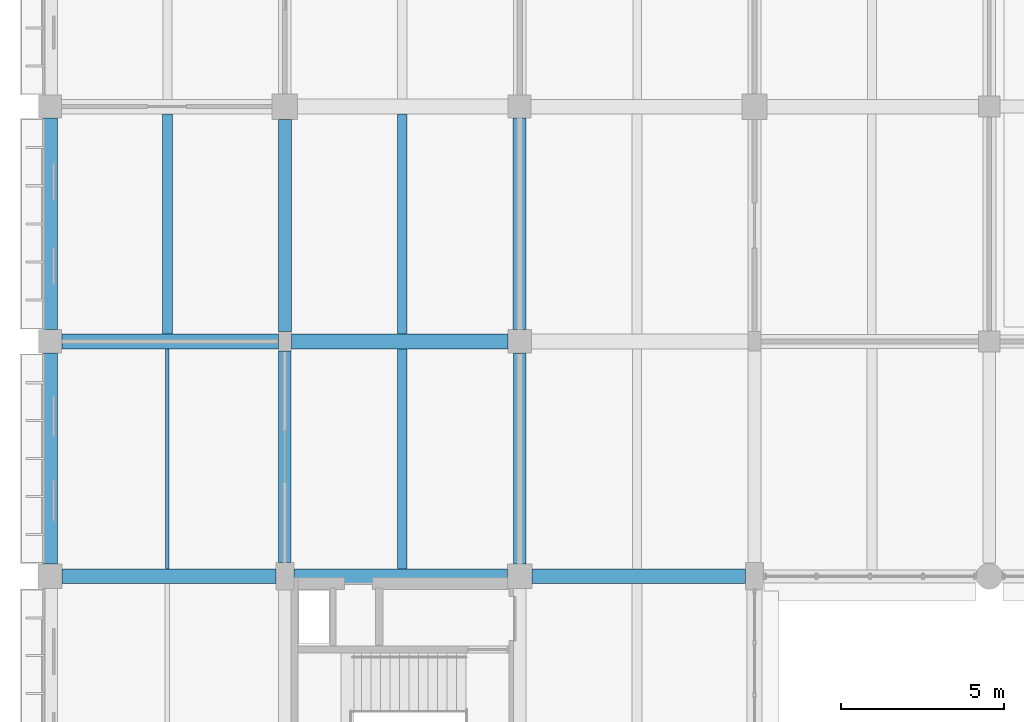
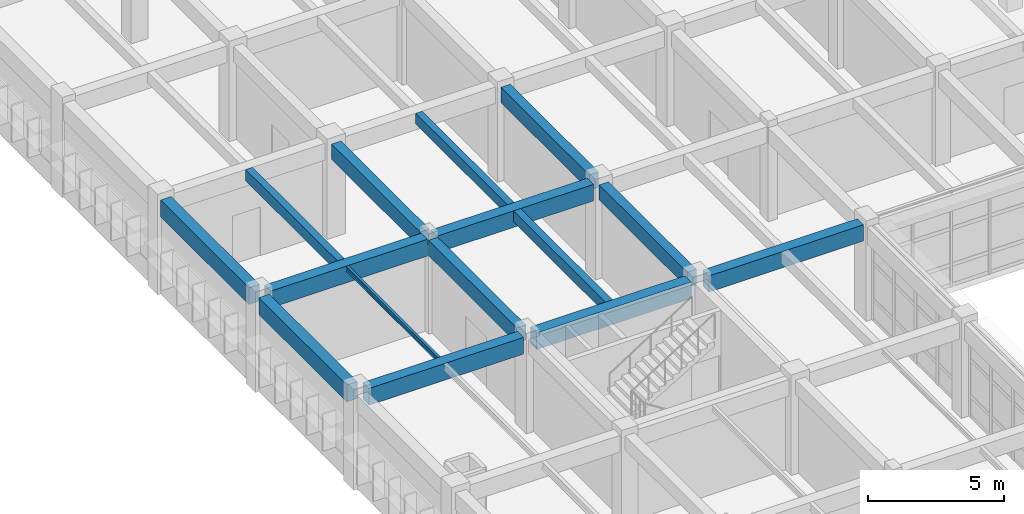
# One storey, part 22 of 171: 15 beams.
"""IFC4 building model written with IfcOpenShell, lengths in metres."""

import ifcopenshell
import ifcopenshell.guid

model = None  # the IFC model being written
_history = None  # IfcOwnerHistory: only IFC2X3 demands one
_inside = {}  # id of a spatial element -> (the spatial element, [elements in it])
_under = {}  # id of a project, library or spatial element -> (it, [spatial elements below it])
_declared = {}  # id of a project -> (the project, [libraries it declares])
_typed = {}  # id of a type object -> (the type object, [elements of that type])
_made_of = {}  # id of a material, layer set ... -> (it, [elements and type objects made of it])


def new_model(schema):
    """Start an empty IFC model of exactly this schema.

    Asked for "IFC4X3", IfcOpenShell would pick the latest addendum, in which some entities
    have other attributes; the version numbers below select the first issue.
    IFC2X3 requires an IfcOwnerHistory on every rooted entity: one is made here for all.
    """
    global model, _history
    if schema == "IFC4X3":
        model = ifcopenshell.file(schema_version=(4, 3, 0, 0))
    else:
        model = ifcopenshell.file(schema=schema)
    _inside.clear()
    _under.clear()
    _declared.clear()
    _typed.clear()
    _made_of.clear()
    _history = None
    if model.schema == "IFC2X3":
        org = make("IfcOrganization", Name="unknown")
        user = make(
            "IfcPersonAndOrganization",
            ThePerson=make("IfcPerson", FamilyName="unknown"),
            TheOrganization=org,
        )
        app = make(
            "IfcApplication",
            ApplicationDeveloper=org,
            Version="unknown",
            ApplicationFullName="unknown",
            ApplicationIdentifier="unknown",
        )
        _history = make(
            "IfcOwnerHistory",
            OwningUser=user,
            OwningApplication=app,
            ChangeAction="ADDED",
            CreationDate=0,
        )
    return model


def make(cls, **values):
    """One entity of the class cls with the attributes given. An attribute that is None is left unset."""
    return model.create_entity(
        cls, **{name: value for name, value in values.items() if value is not None}
    )


def rooted(cls, **values):
    """An entity with a GlobalId (a new one), such as an element, a storey or a relation."""
    return make(cls, GlobalId=ifcopenshell.guid.new(), OwnerHistory=_history, **values)


def si_unit(unit_type, name, prefix=None):
    """IfcSIUnit, for example si_unit("LENGTHUNIT", "METRE", prefix="MILLI")."""
    return make("IfcSIUnit", UnitType=unit_type, Prefix=prefix, Name=name)


def assignment(units):
    """IfcUnitAssignment: the units of a project."""
    return None if units is None else make("IfcUnitAssignment", Units=units)


def point(xyz):
    """IfcCartesianPoint."""
    return None if xyz is None else make("IfcCartesianPoint", Coordinates=xyz)


def direction(xyz):
    """IfcDirection."""
    return None if xyz is None else make("IfcDirection", DirectionRatios=xyz)


def frame(location, z_axis=None, x_axis=None):
    """IfcAxis2Placement3D, a coordinate frame: its origin and axes. An axis left out is left unset."""
    return make(
        "IfcAxis2Placement3D",
        Location=point(location),
        Axis=direction(z_axis),
        RefDirection=direction(x_axis),
    )


def frame_2d(location, x_axis=None):
    """IfcAxis2Placement2D, a coordinate frame in the plane: its origin and x axis."""
    return make(
        "IfcAxis2Placement2D", Location=point(location), RefDirection=direction(x_axis)
    )


def origin():
    """The frame at (0, 0, 0) with its axes left unset."""
    return frame((0.0, 0.0, 0.0))


def origin_2d():
    """The frame at (0, 0) in the plane with its x axis left unset."""
    return frame_2d((0.0, 0.0))


def place(relative_to, where):
    """IfcLocalPlacement: puts the frame where relative to a parent placement (None: the world)."""
    return make(
        "IfcLocalPlacement", PlacementRelTo=relative_to, RelativePlacement=where
    )


def context(
    kind, dimensions, precision=None, world=None, true_north=None, identifier=None
):
    """IfcGeometricRepresentationContext, for example the 3D "Model" context."""
    return make(
        "IfcGeometricRepresentationContext",
        ContextIdentifier=identifier,
        ContextType=kind,
        CoordinateSpaceDimension=dimensions,
        Precision=precision,
        WorldCoordinateSystem=world,
        TrueNorth=true_north,
    )


def subcontext(parent, identifier, kind, view, scale=None):
    """IfcGeometricRepresentationSubContext, for example "Body" below "Model"."""
    return make(
        "IfcGeometricRepresentationSubContext",
        ContextIdentifier=identifier,
        ContextType=kind,
        ParentContext=parent,
        TargetScale=scale,
        TargetView=view,
    )


def project(units=None, contexts=None):
    """IfcProject with its units and contexts."""
    return rooted(
        "IfcProject",
        Name="project",
        RepresentationContexts=contexts,
        UnitsInContext=assignment(units),
    )


def spatial(cls, under=None, at=None, **own):
    """A site, building, storey or space (cls), placed at a placement, below another one or the project."""
    s = rooted(cls, ObjectPlacement=at, **own)
    if under is not None:
        _under.setdefault(under.id(), (under, []))[1].append(s)
    return s


def profile(cls, at=None, kind="AREA", **sizes):
    """A parametric profile (cls). Its sizes go by their IFC names, for example OverallWidth=200.0."""
    return make(cls, ProfileType=kind, Position=at, **sizes)


def rectangle(**sizes):
    """IfcRectangleProfileDef."""
    return profile("IfcRectangleProfileDef", **sizes)


def i_section(**sizes):
    """IfcIShapeProfileDef."""
    return profile("IfcIShapeProfileDef", **sizes)


def extrude(swept, where, along, depth):
    """IfcExtrudedAreaSolid: the profile swept, set in the frame where, extruded along a direction by depth."""
    return make(
        "IfcExtrudedAreaSolid",
        SweptArea=swept,
        Position=where,
        ExtrudedDirection=direction(along),
        Depth=depth,
    )


def shape(context_of_items, identifier, shape_type, items):
    """IfcShapeRepresentation: the items that make up one representation, for example the "Body"."""
    return make(
        "IfcShapeRepresentation",
        ContextOfItems=context_of_items,
        RepresentationIdentifier=identifier,
        RepresentationType=shape_type,
        Items=items,
    )


def material(Name=None, Category=None):
    """IfcMaterial."""
    return make("IfcMaterial", Name=Name, Category=Category)


def material_profile(
    of_material, cross_section, Name=None, Category=None, Priority=None
):
    """IfcMaterialProfile: a cross section and its material."""
    return make(
        "IfcMaterialProfile",
        Name=Name,
        Material=of_material,
        Profile=cross_section,
        Priority=Priority,
        Category=Category,
    )


def profile_set(profiles, Name=None, composite=None):
    """IfcMaterialProfileSet."""
    return make(
        "IfcMaterialProfileSet",
        Name=Name,
        MaterialProfiles=profiles,
        CompositeProfile=composite,
    )


def made_of(thing, what):
    """Note that an element or type object is made of a material, layer set ...; save() writes the relation."""
    if what is not None:
        _made_of.setdefault(what.id(), (what, []))[1].append(thing)
    return thing


def type_object(cls, material=None, **own):
    """A type object (cls), such as IfcWallType, which elements share."""
    return made_of(rooted(cls, **own), material)


def element(
    cls,
    number,
    at=None,
    inside=None,
    cuts=None,
    type_object=None,
    material=None,
    context=None,
    identifier="Body",
    shape_type=None,
    held_by="IfcProductDefinitionShape",
    body=None,
    shapes=None,
    **own,
):
    """One element of the class cls, such as IfcWall. Its Tag is "e" and its number.

    at: its placement. inside: the storey or other place that contains it. cuts: it is an
    opening in that element (IfcRelVoidsElement). A single representation is given by context,
    identifier, shape_type and body (its items); several are given by shapes. held_by: the class
    of the entity that holds the representations. save() writes the other relations.
    """
    e = rooted(cls, Tag="e%d" % number, ObjectPlacement=at, **own)
    if body is not None:
        shapes = [shape(context, identifier, shape_type, body)]
    if shapes is not None:
        e.Representation = make(held_by, Representations=shapes)
    if inside is not None:
        _inside.setdefault(inside.id(), (inside, []))[1].append(e)
    if cuts is not None:
        rooted(
            "IfcRelVoidsElement", RelatingBuildingElement=cuts, RelatedOpeningElement=e
        )
    if type_object is not None:
        _typed.setdefault(type_object.id(), (type_object, []))[1].append(e)
    return made_of(e, material)


def aggregate(whole, parts):
    """IfcRelAggregates: a whole, such as a stair, and the parts it consists of."""
    return rooted("IfcRelAggregates", RelatingObject=whole, RelatedObjects=parts)


def save(model, path):
    """Write the relations noted so far, then the file.

    IfcRelAggregates (storeys below a building ...), IfcRelContainedInSpatialStructure (elements
    in a storey), IfcRelDefinesByType, IfcRelAssociatesMaterial and IfcRelDeclares: one each for
    every whole, place, type object, material and project.
    """
    for whole, parts in _under.values():
        aggregate(whole, parts)
    for where, things in _inside.values():
        rooted(
            "IfcRelContainedInSpatialStructure",
            RelatedElements=things,
            RelatingStructure=where,
        )
    for kind, things in _typed.values():
        rooted("IfcRelDefinesByType", RelatedObjects=things, RelatingType=kind)
    for what, things in _made_of.values():
        rooted("IfcRelAssociatesMaterial", RelatedObjects=things, RelatingMaterial=what)
    for by, libraries in _declared.values():
        rooted("IfcRelDeclares", RelatingContext=by, RelatedDefinitions=libraries)
    model.write(path)


model = new_model("IFC4")

# Units and contexts
model_context = context("Model", 3, precision=1e-05, world=origin(), true_north=direction((0.0, 1.0)))
body_context = subcontext(model_context, "Body", "Model", "MODEL_VIEW")
ifc_project = project(units=[si_unit("LENGTHUNIT", "METRE"), si_unit("AREAUNIT", "SQUARE_METRE"), si_unit("VOLUMEUNIT", "CUBIC_METRE"), si_unit("PLANEANGLEUNIT", "RADIAN"), si_unit("MASSUNIT", "GRAM", prefix="KILO")], contexts=[model_context])

# Site, building, storey
site_placement = place(None, origin())
site = spatial("IfcSite", under=ifc_project, at=site_placement, CompositionType="ELEMENT")
building_placement = place(site_placement, origin())
building = spatial("IfcBuilding", under=site, at=building_placement, Name="Thalmaran Polytechnic", CompositionType="ELEMENT")
storey_placement = place(building_placement, frame((0.0, 0.0, 5.39990234375)))
storey = spatial("IfcBuildingStorey", under=building, at=storey_placement, Name="L01", CompositionType="ELEMENT", Elevation=5.39990234375)

# Beams
ifc_material_1 = material(Name="Concrete C40/50", Category="concrete")
ifc_material_profile_1 = material_profile(ifc_material_1, rectangle(XDim=0.449951171875, YDim=0.75, at=origin_2d()), Name="RC 450x750")
ifc_profile_set_1 = profile_set([ifc_material_profile_1], Name="Concrete C40/50")
beam_type_1 = type_object("IfcBeamType", Name="BM-RC03", PredefinedType="BEAM", material=ifc_profile_set_1)
beam_1_placement = place(storey_placement, frame((0.375, 50.39990234375, 3.835205078125), z_axis=(1.0, 0.0, 0.0), x_axis=(0.0, 1.0, 0.0)))
element("IfcBeam", 1, at=beam_1_placement, inside=storey, type_object=beam_type_1, Name="Grid Beam B03 L01 X(0,7)", PredefinedType="BEAM", context=body_context, shape_type="SweptSolid", body=[
    extrude(rectangle(XDim=0.449951171875, YDim=0.75, at=origin_2d()), origin(), (0.0, 0.0, 1.0), 6.550048828125),
])
beam_2_placement = place(storey_placement, frame((0.360107421875, 57.60009765625, 3.835205078125), z_axis=(1.0, 0.0, 0.0), x_axis=(0.0, 1.0, 0.0)))
element("IfcBeam", 2, at=beam_2_placement, inside=storey, type_object=beam_type_1, Name="Grid Beam B03 L01 X(0,8)", PredefinedType="BEAM", context=body_context, shape_type="SweptSolid", body=[
    extrude(rectangle(XDim=0.449951171875, YDim=0.75, at=origin_2d()), origin(), (0.0, 0.0, 1.0), 6.639892578125),
])
ifc_material_profile_2 = material_profile(ifc_material_1, rectangle(XDim=0.449951171875, YDim=0.72509765625, at=origin_2d()), Name="RC 450x725")
ifc_profile_set_2 = profile_set([ifc_material_profile_2], Name="Concrete C40/50")
beam_type_2 = type_object("IfcBeamType", Name="BM-RC04", PredefinedType="BEAM", material=ifc_profile_set_2)
beam_3_placement = place(storey_placement, frame((14.77490234375, 50.39990234375, 3.84765625), z_axis=(1.0, 0.0, 0.0), x_axis=(0.0, 1.0, 0.0)))
element("IfcBeam", 3, at=beam_3_placement, inside=storey, type_object=beam_type_2, Name="Grid Beam B04 L01 X(2,7)", PredefinedType="BEAM", context=body_context, shape_type="SweptSolid", body=[
    extrude(rectangle(XDim=0.449951171875, YDim=0.72509765625, at=origin_2d()), origin(), (0.0, 0.0, 1.0), 6.550048828125),
])
ifc_material_profile_3 = material_profile(ifc_material_1, rectangle(XDim=0.389892578125, YDim=0.68505859375, at=origin_2d()), Name="RC 390x685")
ifc_profile_set_3 = profile_set([ifc_material_profile_3], Name="Concrete C40/50")
beam_type_3 = type_object("IfcBeamType", Name="BM-RC08", PredefinedType="BEAM", material=ifc_profile_set_3)
beam_4_placement = place(storey_placement, frame((7.199951171875, 50.824951171875, 3.86767578125), z_axis=(0.0, 1.0, 0.0), x_axis=(-1.0, 0.0, 0.0)))
element("IfcBeam", 4, at=beam_4_placement, inside=storey, type_object=beam_type_3, Name="Grid Beam B08 L01 Y(1,7)", PredefinedType="BEAM", context=body_context, shape_type="SweptSolid", body=[
    extrude(rectangle(XDim=0.389892578125, YDim=0.68505859375, at=origin_2d()), origin(), (0.0, 0.0, 1.0), 6.47509765625),
])
beam_5_placement = place(storey_placement, frame((14.39990234375, 50.77490234375, 3.86767578125), z_axis=(0.0, 1.0, 0.0), x_axis=(-1.0, 0.0, 0.0)))
element("IfcBeam", 5, at=beam_5_placement, inside=storey, type_object=beam_type_3, Name="Grid Beam B08 L01 Y(2,7)", PredefinedType="BEAM", context=body_context, shape_type="SweptSolid", body=[
    extrude(rectangle(XDim=0.389892578125, YDim=0.68505859375, at=origin_2d()), origin(), (0.0, 0.0, 1.0), 6.465087890625),
])
ifc_material_profile_4 = material_profile(ifc_material_1, rectangle(XDim=0.300048828125, YDim=0.5, at=origin_2d()), Name="RC 300x500")
ifc_profile_set_4 = profile_set([ifc_material_profile_4], Name="Concrete C40/50")
beam_type_4 = type_object("IfcBeamType", Name="BM-RC11", PredefinedType="JOIST", material=ifc_profile_set_4)
beam_6_placement = place(storey_placement, frame((3.60009765625, 57.824951171875, 3.960205078125), z_axis=(0.0, 1.0, 0.0), x_axis=(-1.0, 0.0, 0.0)))
element("IfcBeam", 6, at=beam_6_placement, inside=storey, type_object=beam_type_4, Name="Secondary Floor Rib RB01 L01 (0,8)", PredefinedType="JOIST", context=body_context, shape_type="SweptSolid", body=[
    extrude(rectangle(XDim=0.300048828125, YDim=0.5, at=origin_2d()), origin(), (0.0, 0.0, 1.0), 6.75),
])
beam_7_placement = place(storey_placement, frame((10.800048828125, 50.6298828125, 3.960205078125), z_axis=(0.0, 1.0, 0.0), x_axis=(-1.0, 0.0, 0.0)))
element("IfcBeam", 7, at=beam_7_placement, inside=storey, type_object=beam_type_4, Name="Secondary Floor Rib RB01 L01 (1,7)", PredefinedType="JOIST", context=body_context, shape_type="SweptSolid", body=[
    extrude(rectangle(XDim=0.300048828125, YDim=0.5, at=origin_2d()), origin(), (0.0, 0.0, 1.0), 6.740234375),
])
ifc_material_2 = material(Name="Steel S355", Category="steel")
ifc_material_profile_5 = material_profile(ifc_material_2, i_section(OverallWidth=0.110107421875, OverallDepth=0.219970703125, WebThickness=0.005859375, FlangeThickness=0.00927734375, at=origin_2d()), Name="IPE 220")
ifc_profile_set_5 = profile_set([ifc_material_profile_5], Name="Steel S355")
beam_type_5 = type_object("IfcBeamType", Name="BM-SJ04", PredefinedType="JOIST", material=ifc_profile_set_5)
beam_8_placement = place(storey_placement, frame((3.60009765625, 50.625, 4.10009765625), z_axis=(0.0, 1.0, 0.0), x_axis=(-1.0, 0.0, 0.0)))
element("IfcBeam", 8, at=beam_8_placement, inside=storey, type_object=beam_type_5, Name="Secondary Floor Rib SJ04 L01 (0,7)", PredefinedType="JOIST", context=body_context, shape_type="SweptSolid", body=[
    extrude(i_section(OverallWidth=0.110107421875, OverallDepth=0.219970703125, WebThickness=0.005859375, FlangeThickness=0.00927734375, at=origin_2d()), origin(), (0.0, 0.0, 1.0), 6.75),
])
ifc_material_profile_6 = material_profile(ifc_material_1, rectangle(XDim=0.449951171875, YDim=0.7548828125, at=origin_2d()), Name="RC 450x755")
ifc_profile_set_6 = profile_set([ifc_material_profile_6], Name="Concrete C40/50")
beam_type_6 = type_object("IfcBeamType", Name="BM-SP02", PredefinedType="SPANDREL", material=ifc_profile_set_6)
beam_9_placement = place(storey_placement, frame((0.0, 50.77490234375, 3.83251953125), z_axis=(0.0, 1.0, 0.0), x_axis=(-1.0, 0.0, 0.0)))
element("IfcBeam", 9, at=beam_9_placement, inside=storey, type_object=beam_type_6, Name="Grid Beam SP02 L01 Y(0,7)", PredefinedType="SPANDREL", context=body_context, shape_type="SweptSolid", body=[
    extrude(rectangle(XDim=0.449951171875, YDim=0.7548828125, at=origin_2d()), origin(), (0.0, 0.0, 1.0), 6.465087890625),
])
beam_10_placement = place(storey_placement, frame((0.0, 57.9599609375, 3.83251953125), z_axis=(0.0, 1.0, 0.0), x_axis=(-1.0, 0.0, 0.0)))
element("IfcBeam", 10, at=beam_10_placement, inside=storey, type_object=beam_type_6, Name="Grid Beam SP02 L01 Y(0,8)", PredefinedType="SPANDREL", context=body_context, shape_type="SweptSolid", body=[
    extrude(rectangle(XDim=0.449951171875, YDim=0.7548828125, at=origin_2d()), origin(), (0.0, 0.0, 1.0), 6.489990234375),
])
ifc_material_profile_7 = material_profile(ifc_material_1, rectangle(XDim=0.4599609375, YDim=0.739990234375, at=origin_2d()), Name="RC 460x740")
ifc_profile_set_7 = profile_set([ifc_material_profile_7], Name="Concrete C40/50")
beam_type_7 = type_object("IfcBeamType", Name="BM-ZB02", PredefinedType="BEAM", material=ifc_profile_set_7)
beam_11_placement = place(storey_placement, frame((7.47509765625, 50.39990234375, 3.840087890625), z_axis=(1.0, 0.0, 0.0), x_axis=(0.0, 1.0, 0.0)))
element("IfcBeam", 11, at=beam_11_placement, inside=storey, type_object=beam_type_7, Name="Grid Beam ZB02 L01 X(1,7)", PredefinedType="BEAM", context=body_context, shape_type="SweptSolid", body=[
    extrude(rectangle(XDim=0.4599609375, YDim=0.739990234375, at=origin_2d()), origin(), (0.0, 0.0, 1.0), 6.5498046875),
])
beam_12_placement = place(storey_placement, frame((7.39990234375, 57.60009765625, 3.840087890625), z_axis=(1.0, 0.0, 0.0), x_axis=(0.0, 1.0, 0.0)))
element("IfcBeam", 12, at=beam_12_placement, inside=storey, type_object=beam_type_7, Name="Grid Beam ZB02 L01 X(1,8)", PredefinedType="BEAM", context=body_context, shape_type="SweptSolid", body=[
    extrude(rectangle(XDim=0.4599609375, YDim=0.739990234375, at=origin_2d()), origin(), (0.0, 0.0, 1.0), 6.64013671875),
])
ifc_material_profile_8 = material_profile(ifc_material_1, rectangle(XDim=0.39990234375, YDim=0.68505859375, at=origin_2d()), Name="RC 400x685")
ifc_profile_set_8 = profile_set([ifc_material_profile_8], Name="Concrete C40/50")
beam_type_8 = type_object("IfcBeamType", Name="BM-ZB07", PredefinedType="BEAM", material=ifc_profile_set_8)
beam_13_placement = place(storey_placement, frame((7.199951171875, 57.89990234375, 3.86767578125), z_axis=(0.0, 1.0, 0.0), x_axis=(-1.0, 0.0, 0.0)))
element("IfcBeam", 13, at=beam_13_placement, inside=storey, type_object=beam_type_8, Name="Grid Beam ZB07 L01 Y(1,8)", PredefinedType="BEAM", context=body_context, shape_type="SweptSolid", body=[
    extrude(rectangle(XDim=0.39990234375, YDim=0.68505859375, at=origin_2d()), origin(), (0.0, 0.0, 1.0), 6.510009765625),
])
beam_14_placement = place(storey_placement, frame((14.39990234375, 57.9599609375, 3.86767578125), z_axis=(0.0, 1.0, 0.0), x_axis=(-1.0, 0.0, 0.0)))
element("IfcBeam", 14, at=beam_14_placement, inside=storey, type_object=beam_type_8, Name="Grid Beam ZB07 L01 Y(2,8)", PredefinedType="BEAM", context=body_context, shape_type="SweptSolid", body=[
    extrude(rectangle(XDim=0.39990234375, YDim=0.68505859375, at=origin_2d()), origin(), (0.0, 0.0, 1.0), 6.489990234375),
])
ifc_material_profile_9 = material_profile(ifc_material_1, rectangle(XDim=0.280029296875, YDim=0.47998046875, at=origin_2d()), Name="RC 280x480")
ifc_profile_set_9 = profile_set([ifc_material_profile_9], Name="Concrete C40/50")
beam_type_9 = type_object("IfcBeamType", Name="BM-ZJ01", PredefinedType="JOIST", material=ifc_profile_set_9)
beam_15_placement = place(storey_placement, frame((10.800048828125, 57.830078125, 3.97021484375), z_axis=(0.0, 1.0, 0.0), x_axis=(-1.0, 0.0, 0.0)))
element("IfcBeam", 15, at=beam_15_placement, inside=storey, type_object=beam_type_9, Name="Secondary Floor Rib ZJ01 L01 (1,8)", PredefinedType="JOIST", context=body_context, shape_type="SweptSolid", body=[
    extrude(rectangle(XDim=0.280029296875, YDim=0.47998046875, at=origin_2d()), origin(), (0.0, 0.0, 1.0), 6.739990234375),
])

save(model, "model.ifc")
